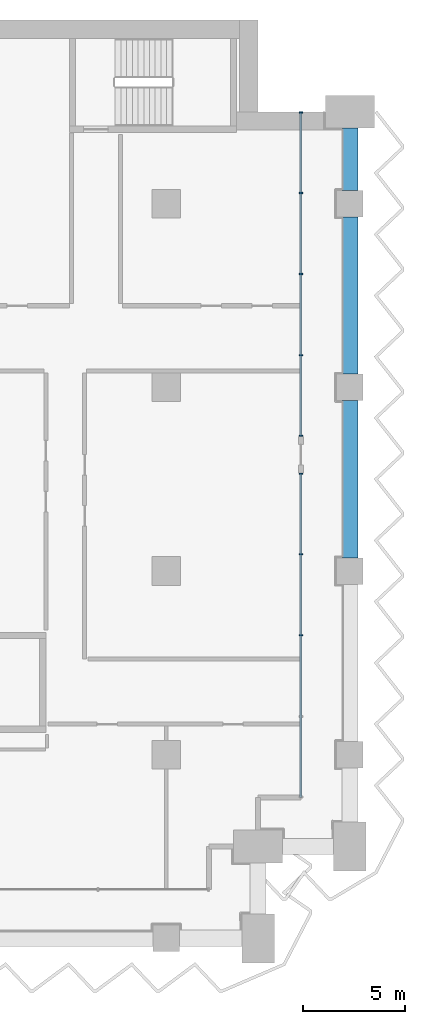
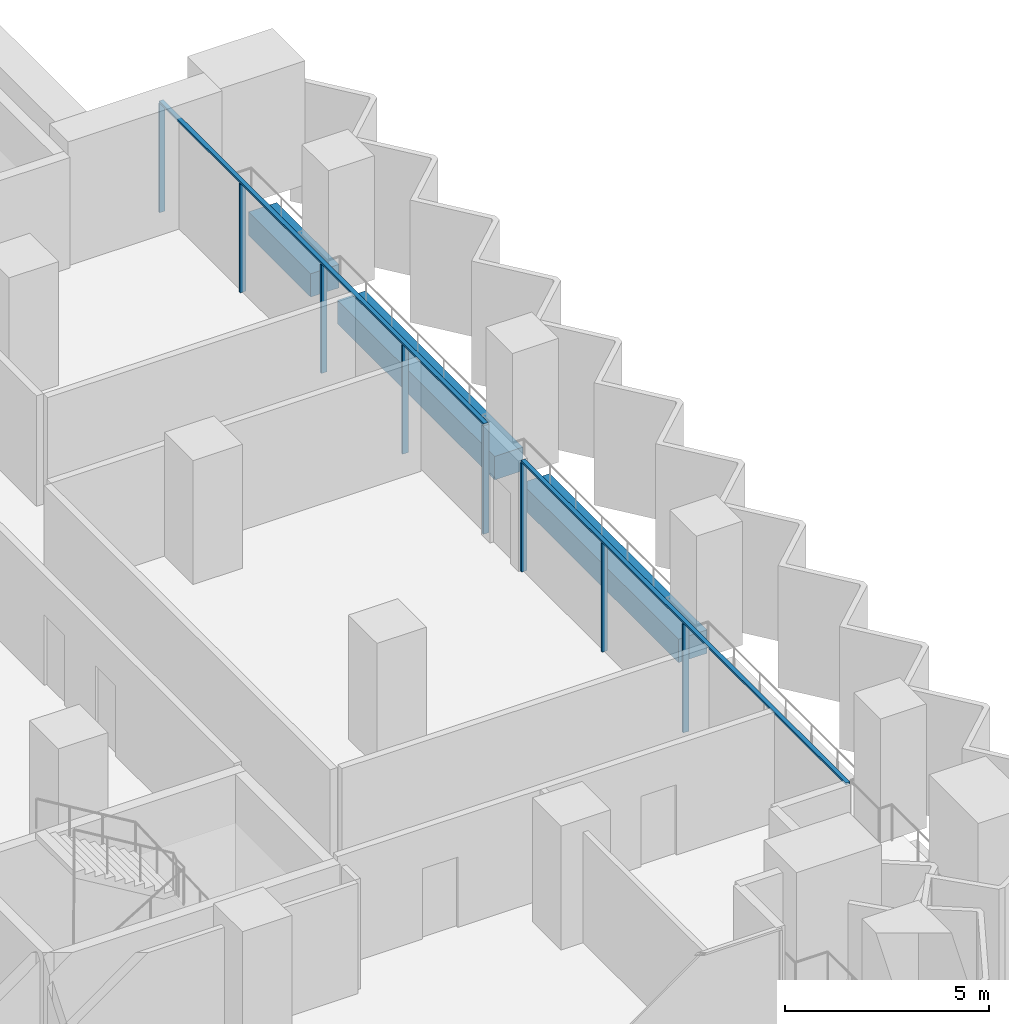
# One storey, part 7 of 28: 10 members, 3 beams, 2 elements without a shape of their own.
"""IFC4 building model written with IfcOpenShell, lengths in metres."""

from ifc_helpers import new_model, si_unit, direction, frame, origin, origin_2d, place, context, subcontext, project, spatial, rectangle, extrude, material, material_profile, profile_set, type_object, element, aggregate, save


model = new_model("IFC4")

# Units and contexts
model_context = context("Model", 3, precision=1e-05, world=origin(), true_north=direction((0.0, 1.0)))
body_context = subcontext(model_context, "Body", "Model", "MODEL_VIEW")
ifc_project = project(units=[si_unit("LENGTHUNIT", "METRE"), si_unit("AREAUNIT", "SQUARE_METRE"), si_unit("VOLUMEUNIT", "CUBIC_METRE"), si_unit("PLANEANGLEUNIT", "RADIAN"), si_unit("MASSUNIT", "GRAM", prefix="KILO")], contexts=[model_context])

# Site, building, storey
site_placement = place(None, origin())
site = spatial("IfcSite", under=ifc_project, at=site_placement, CompositionType="ELEMENT")
building_placement = place(site_placement, origin())
building = spatial("IfcBuilding", under=site, at=building_placement, Name="Hunhe Ridgeline Campus", CompositionType="ELEMENT")
storey_placement = place(building_placement, frame((0.0, 0.0, 43.199951171875)))
storey = spatial("IfcBuildingStorey", under=building, at=storey_placement, Name="L09", CompositionType="ELEMENT", Elevation=43.199951171875)

# Curtain wall, members
ifc_material_1 = material(Name="Aluminium 6063", Category="aluminium")
curtain_wall_type = type_object("IfcCurtainWallType", Name="Curtain wall CW-1", PredefinedType="NOTDEFINED", material=ifc_material_1)
curtain_wall_1_placement = place(storey_placement, origin())
curtain_wall_1 = element("IfcCurtainWall", 1, at=curtain_wall_1_placement, inside=storey, type_object=curtain_wall_type, Name="Curtain wall 15", PredefinedType="NOTDEFINED")
ifc_material_profile_1 = material_profile(ifc_material_1, rectangle(XDim=0.159912109375, YDim=0.06005859375, at=origin_2d()))
ifc_profile_set_1 = profile_set([ifc_material_profile_1], Name="Aluminium 6063")
member_type_1 = type_object("IfcMemberType", Name="CW-1 aluminium mullion", PredefinedType="MULLION", material=ifc_profile_set_1)
member_1_placement = place(storey_placement, frame((96.59912109375, 68.850830078125, 0.0), z_axis=(0.0, 0.0, 1.0), x_axis=(-1.0, 0.0, 0.0)))
member_1 = element("IfcMember", 2, at=member_1_placement, type_object=member_type_1, Name="CW-1 mullion 3", PredefinedType="MULLION", context=body_context, shape_type="SweptSolid", body=[
    extrude(rectangle(XDim=0.159912109375, YDim=0.06005859375, at=origin_2d()), origin(), (0.0, 0.0, 1.0), 3.239990234375),
])
member_2_placement = place(storey_placement, frame((96.59912109375, 72.82568359375, 0.0), z_axis=(0.0, 0.0, 1.0), x_axis=(-1.0, 0.0, 0.0)))
member_2 = element("IfcMember", 3, at=member_2_placement, type_object=member_type_1, Name="CW-1 mullion 4", PredefinedType="MULLION", context=body_context, shape_type="SweptSolid", body=[
    extrude(rectangle(XDim=0.159912109375, YDim=0.06005859375, at=origin_2d()), origin(), (0.0, 0.0, 1.0), 3.239990234375),
])
member_3_placement = place(storey_placement, frame((96.59912109375, 76.7705078125, 0.0), z_axis=(0.0, 0.0, 1.0), x_axis=(-1.0, 0.0, 0.0)))
member_3 = element("IfcMember", 4, at=member_3_placement, type_object=member_type_1, Name="CW-1 mullion 5", PredefinedType="MULLION", context=body_context, shape_type="SweptSolid", body=[
    extrude(rectangle(XDim=0.159912109375, YDim=0.06005859375, at=origin_2d()), origin(), (0.0, 0.0, 1.0), 3.239990234375),
])

curtain_wall_2_placement = place(storey_placement, origin())
curtain_wall_2 = element("IfcCurtainWall", 5, at=curtain_wall_2_placement, inside=storey, type_object=curtain_wall_type, Name="Curtain wall 16", PredefinedType="NOTDEFINED")
member_4_placement = place(storey_placement, frame((96.59912109375, 78.630615234375, 0.0), z_axis=(0.0, 0.0, 1.0), x_axis=(-1.0, 0.0, 0.0)))
member_4 = element("IfcMember", 6, at=member_4_placement, type_object=member_type_1, Name="CW-1 mullion 1", PredefinedType="MULLION", context=body_context, shape_type="SweptSolid", body=[
    extrude(rectangle(XDim=0.159912109375, YDim=0.06005859375, at=origin_2d()), origin(), (0.0, 0.0, 1.0), 3.239990234375),
])
member_5_placement = place(storey_placement, frame((96.59912109375, 82.575439453125, 0.0), z_axis=(0.0, 0.0, 1.0), x_axis=(-1.0, 0.0, 0.0)))
member_5 = element("IfcMember", 7, at=member_5_placement, type_object=member_type_1, Name="CW-1 mullion 2", PredefinedType="MULLION", context=body_context, shape_type="SweptSolid", body=[
    extrude(rectangle(XDim=0.159912109375, YDim=0.06005859375, at=origin_2d()), origin(), (0.0, 0.0, 1.0), 3.239990234375),
])
member_6_placement = place(storey_placement, frame((96.59912109375, 86.55029296875, 0.0), z_axis=(0.0, 0.0, 1.0), x_axis=(-1.0, 0.0, 0.0)))
member_6 = element("IfcMember", 8, at=member_6_placement, type_object=member_type_1, Name="CW-1 mullion 3", PredefinedType="MULLION", context=body_context, shape_type="SweptSolid", body=[
    extrude(rectangle(XDim=0.159912109375, YDim=0.06005859375, at=origin_2d()), origin(), (0.0, 0.0, 1.0), 3.239990234375),
])
member_7_placement = place(storey_placement, frame((96.59912109375, 90.525146484375, 0.0), z_axis=(0.0, 0.0, 1.0), x_axis=(-1.0, 0.0, 0.0)))
member_7 = element("IfcMember", 9, at=member_7_placement, type_object=member_type_1, Name="CW-1 mullion 4", PredefinedType="MULLION", context=body_context, shape_type="SweptSolid", body=[
    extrude(rectangle(XDim=0.159912109375, YDim=0.06005859375, at=origin_2d()), origin(), (0.0, 0.0, 1.0), 3.239990234375),
])
member_8_placement = place(storey_placement, frame((96.59912109375, 94.469970703125, 0.0), z_axis=(0.0, 0.0, 1.0), x_axis=(-1.0, 0.0, 0.0)))
member_8 = element("IfcMember", 10, at=member_8_placement, type_object=member_type_1, Name="CW-1 mullion 5", PredefinedType="MULLION", context=body_context, shape_type="SweptSolid", body=[
    extrude(rectangle(XDim=0.159912109375, YDim=0.06005859375, at=origin_2d()), origin(), (0.0, 0.0, 1.0), 3.239990234375),
])

# Member
ifc_material_profile_2 = material_profile(ifc_material_1, rectangle(XDim=0.1201171875, YDim=0.06005859375, at=origin_2d()))
ifc_profile_set_2 = profile_set([ifc_material_profile_2], Name="Aluminium 6063")
member_type_2 = type_object("IfcMemberType", Name="CW-1 aluminium transom", PredefinedType="USERDEFINED", material=ifc_profile_set_2)
member_9_placement = place(storey_placement, frame((96.59912109375, 60.90087890625, 3.27001953125), z_axis=(0.0, 1.0, 0.0), x_axis=(-1.0, 0.0, 0.0)))
member_9 = element("IfcMember", 11, at=member_9_placement, type_object=member_type_2, Name="CW-1 transom 1", ObjectType="TRANSOM", PredefinedType="USERDEFINED", context=body_context, shape_type="SweptSolid", body=[
    extrude(rectangle(XDim=0.1201171875, YDim=0.06005859375, at=origin_2d()), origin(), (0.0, 0.0, 1.0), 15.899658203125),
])

aggregate(curtain_wall_1, [member_9, member_1, member_2, member_3])

member_10_placement = place(storey_placement, frame((96.59912109375, 78.6005859375, 3.27001953125), z_axis=(0.0, 1.0, 0.0), x_axis=(-1.0, 0.0, 0.0)))
member_10 = element("IfcMember", 12, at=member_10_placement, type_object=member_type_2, Name="CW-1 transom 1", ObjectType="TRANSOM", PredefinedType="USERDEFINED", context=body_context, shape_type="SweptSolid", body=[
    extrude(rectangle(XDim=0.1201171875, YDim=0.06005859375, at=origin_2d()), origin(), (0.0, 0.0, 1.0), 15.8994140625),
])

aggregate(curtain_wall_2, [member_10, member_4, member_5, member_6, member_7, member_8])

# Beams
ifc_material_2 = material(Name="Concrete C60", Category="concrete")
ifc_material_profile_3 = material_profile(ifc_material_2, rectangle(XDim=0.800048828125, YDim=0.699951171875, at=origin_2d()))
ifc_profile_set_3 = profile_set([ifc_material_profile_3], Name="Concrete C60")
beam_type = type_object("IfcBeamType", Name="RC spandrel beam 800x700 Concrete C60", PredefinedType="SPANDREL", material=ifc_profile_set_3)
for number, where, z_axis, x_axis, name in (
    (13, (99.0, 72.64990234375, -0.599853515625), (0.0, 1.0, 0.0), (-1.0, 0.0, 0.0), "Spandrel beam B1-22 L09"),
    (14, (99.0, 81.64990234375, -0.599853515625), (0.0, 1.0, 0.0), (-1.0, 0.0, 0.0), "Spandrel beam B1-23 L09"),
):
    element("IfcBeam", number, at=place(storey_placement, frame(where, z_axis=z_axis, x_axis=x_axis)), inside=storey, type_object=beam_type, Name=name, PredefinedType="SPANDREL", context=body_context, shape_type="SweptSolid", body=[
        extrude(rectangle(XDim=0.800048828125, YDim=0.699951171875, at=origin_2d()), origin(), (0.0, 0.0, 1.0), 7.7001953125),
    ])
beam_placement = place(storey_placement, frame((99.0, 90.64990234375, -0.599853515625), z_axis=(0.0, 1.0, 0.0), x_axis=(-1.0, 0.0, 0.0)))
element("IfcBeam", 15, at=beam_placement, inside=storey, type_object=beam_type, Name="Spandrel beam B1-24 L09", PredefinedType="SPANDREL", context=body_context, shape_type="SweptSolid", body=[
    extrude(rectangle(XDim=0.800048828125, YDim=0.699951171875, at=origin_2d()), origin(), (0.0, 0.0, 1.0), 3.050048828125),
])

save(model, "model.ifc")
